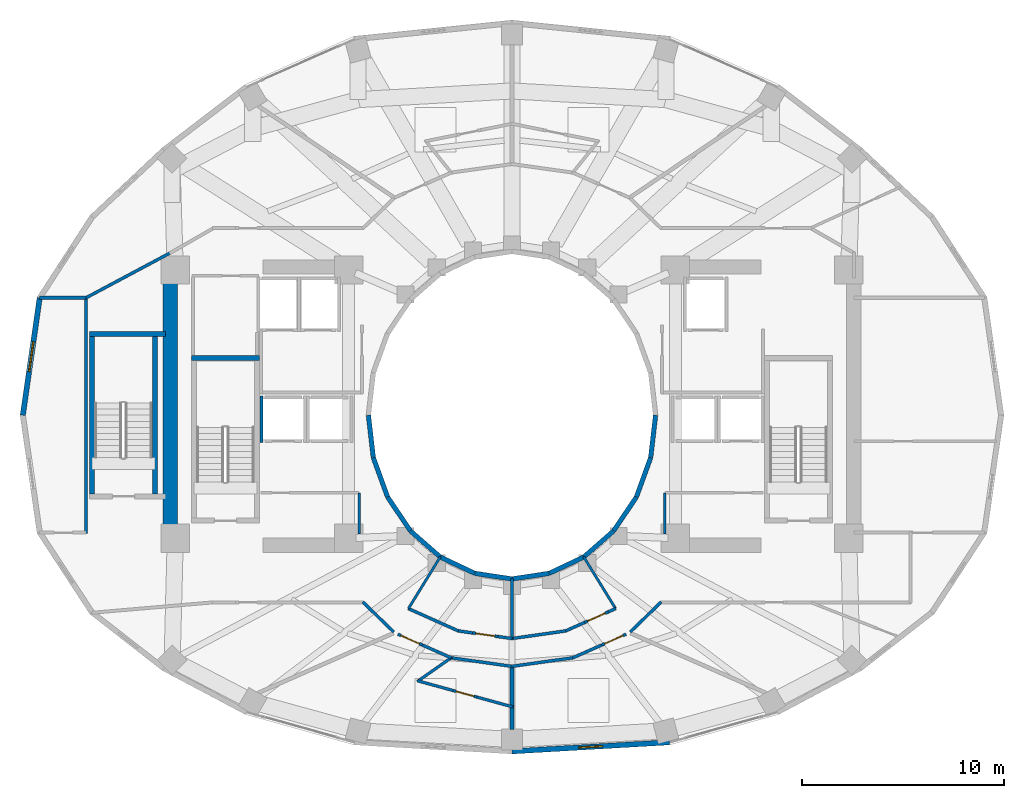
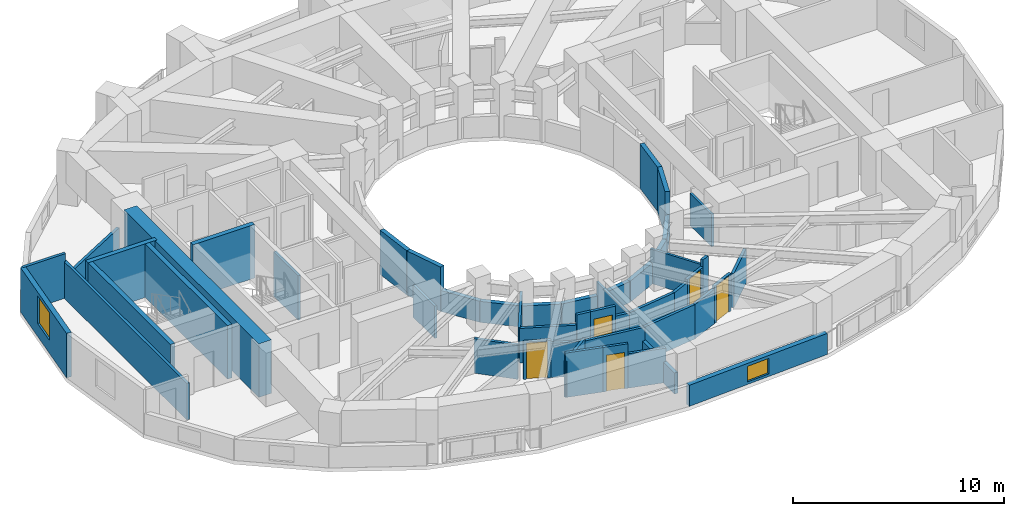
# One storey, part 9 of 16: 49 walls, 5 doors, 2 windows, 7 openings.
"""IFC4 building model written with IfcOpenShell, lengths in metres."""

from ifc_helpers import new_model, si_unit, direction, frame, frame_2d, origin, place, context, subcontext, project, spatial, rectangle, extrude, material, layer, layer_set, type_object, element, fill, save


model = new_model("IFC4")

# Units and contexts
model_context = context("Model", 3, precision=1e-05, world=origin(), true_north=direction((0.0, 1.0)))
body_context = subcontext(model_context, "Body", "Model", "MODEL_VIEW")
ifc_project = project(units=[si_unit("LENGTHUNIT", "METRE"), si_unit("AREAUNIT", "SQUARE_METRE"), si_unit("VOLUMEUNIT", "CUBIC_METRE"), si_unit("PLANEANGLEUNIT", "RADIAN"), si_unit("MASSUNIT", "GRAM", prefix="KILO")], contexts=[model_context])

# Site, building, storey
site_placement = place(None, origin())
site = spatial("IfcSite", under=ifc_project, at=site_placement, CompositionType="ELEMENT")
building_placement = place(site_placement, origin())
building = spatial("IfcBuilding", under=site, at=building_placement, Name="Solvane Sanctuary Tower", CompositionType="ELEMENT")
storey_placement = place(building_placement, frame((0.0, 0.0, 119.699951171875)))
storey = spatial("IfcBuildingStorey", under=building, at=storey_placement, Name="L36", CompositionType="ELEMENT", Elevation=119.699951171875)

# Walls
ifc_material_1 = material(Name="Concrete C60/75", Category="concrete")
ifc_layer_1 = layer(ifc_material_1, 0.699951171875, Name="Concrete C60/75")
ifc_layer_set_1 = layer_set([ifc_layer_1], Name="Concrete C60/75")
wall_type_1 = type_object("IfcWallType", Name="Wall W-CORE-700", PredefinedType="SHEAR", material=ifc_layer_set_1)
wall_1_placement = place(storey_placement, frame((15.050048828125, 17.050048828125, 0.0), z_axis=(0.0, 0.0, 1.0), x_axis=(0.0, 1.0, 0.0)))
element("IfcWall", 1, at=wall_1_placement, inside=storey, type_object=wall_type_1, Name="L36 Core Shear Wall WC-W", PredefinedType="SHEAR", context=body_context, shape_type="SweptSolid", body=[
    extrude(rectangle(XDim=12.800048828125, YDim=0.699951171875, at=frame_2d((6.39990234375, 0.0))), origin(), (0.0, 0.0, 1.0), 3.10009765625),
])
ifc_material_2 = material(Name="Acoustic Gypsum Partition Board")
ifc_layer_2 = layer(ifc_material_2, 0.14990234375, Name="Acoustic Gypsum Partition Board")
ifc_layer_set_2 = layer_set([ifc_layer_2], Name="Acoustic Gypsum Partition Board")
wall_type_2 = type_object("IfcWallType", Name="Wall W-CORR-150", PredefinedType="PARTITIONING", material=ifc_layer_set_2)
wall_2_placement = place(storey_placement, frame((10.8798828125, 17.134765625, 0.0), z_axis=(0.0, 0.0, 1.0), x_axis=(0.0, 1.0, 0.0)))
element("IfcWall", 2, at=wall_2_placement, inside=storey, type_object=wall_type_2, Name="L36 West Shoulder Back Wall", PredefinedType="PARTITIONING", context=body_context, shape_type="SweptSolid", body=[
    extrude(rectangle(XDim=11.73046875, YDim=0.14990234375, at=frame_2d((5.865234375, 0.0))), origin(), (0.0, 0.0, 1.0), 2.1201171875),
])
wall_3_placement = place(storey_placement, frame((8.558349609375, 28.8251953125, 0.0), z_axis=(0.0, 0.0, 1.0), x_axis=(1.0, 0.0, 0.0)))
element("IfcWall", 3, at=wall_3_placement, inside=storey, type_object=wall_type_2, Name="L36 West Shoulder North Wall", PredefinedType="PARTITIONING", context=body_context, shape_type="SweptSolid", body=[
    extrude(rectangle(XDim=2.321533203125, YDim=0.14990234375, at=frame_2d((1.16064453125, 0.0))), origin(), (0.0, 0.0, 1.0), 2.574951171875),
])
wall_4_placement = place(storey_placement, frame((10.8447265625, 28.806396484375, 0.0), z_axis=(0.0, 0.0, 1.0), x_axis=(0.88227840565, 0.470727962759, 0.0)))
element("IfcWall", 4, at=wall_4_placement, inside=storey, type_object=wall_type_2, Name="L36 NW Corner Closer 1", PredefinedType="PARTITIONING", context=body_context, shape_type="SweptSolid", body=[
    extrude(rectangle(XDim=4.806396484375, YDim=0.14990234375, at=frame_2d((2.4033203125, 0.0))), origin(), (0.0, 0.0, 1.0), 1.219970703125),
])
for number, where, z_axis, x_axis, name in (
    (5, (26.132568359375, 12.251220703125, 0.0), (0.0, 0.0, 1.0), (-0.717419568599, 0.696641344302, 0.0), "L36 SW Corner Throat Wall"),
    (6, (37.867431640625, 12.251220703125, 0.0), (0.0, 0.0, 1.0), (0.717419568599, 0.696641344302, 0.0), "L36 SE Corner Throat Wall"),
):
    element("IfcWall", number, at=place(storey_placement, frame(where, z_axis=z_axis, x_axis=x_axis)), inside=storey, type_object=wall_type_2, Name=name, PredefinedType="PARTITIONING", context=body_context, shape_type="SweptSolid", body=[
        extrude(rectangle(XDim=2.138427734375, YDim=0.14990234375, at=frame_2d((1.0693359375, 0.0))), origin(), (0.0, 0.0, 1.0), 1.991943359375),
    ])
wall_5_placement = place(storey_placement, frame((26.855712890625, 13.411865234375, 0.0), z_axis=(0.0, 0.0, 1.0), x_axis=(0.912985265053, -0.407992531545, 0.0)))
element("IfcWall", 7, at=wall_5_placement, inside=storey, type_object=wall_type_2, Name="L36 Inner Light-Well Corridor Wall S1", PredefinedType="PARTITIONING", context=body_context, shape_type="SweptSolid", body=[
    extrude(rectangle(XDim=2.723388671875, YDim=0.14990234375, at=frame_2d((1.36181640625, 0.0))), origin(), (0.0, 0.0, 1.0), 1.991943359375),
])
wall_6_placement = place(storey_placement, frame((29.338623046875, 12.302001953125, 0.0), z_axis=(0.0, 0.0, 1.0), x_axis=(0.990086065041, -0.140462036909, 0.0)))
element("IfcWall", 8, at=wall_6_placement, inside=storey, type_object=wall_type_2, Name="L36 Inner Light-Well Corridor Wall S1", PredefinedType="PARTITIONING", context=body_context, shape_type="SweptSolid", body=[
    extrude(rectangle(XDim=0.712646484375, YDim=0.14990234375, at=frame_2d((0.3564453125, 0.0))), origin(), (0.0, 0.0, 1.0), 2.574951171875),
])

# Wall, opening, door
wall_7_placement = place(storey_placement, frame((30.044189453125, 12.201904296875, 0.0), z_axis=(0.0, 0.0, 1.0), x_axis=(0.990129408, -0.14015618222, 0.0)))
wall_7 = element("IfcWall", 9, at=wall_7_placement, inside=storey, type_object=wall_type_2, Name="L36 Inner Light-Well Corridor Wall S1", PredefinedType="PARTITIONING", context=body_context, shape_type="SweptSolid", body=[
    extrude(rectangle(XDim=1.269775390625, YDim=0.14990234375, at=frame_2d((0.634765625, 0.0))), origin(), (0.0, 0.0, 1.0), 2.574951171875),
])
opening_1_placement = place(wall_7_placement, frame((0.159912109375, 0.0, 0.0)))
opening_1 = element("IfcOpeningElement", 10, at=opening_1_placement, cuts=wall_7, Name="Opening D-L36-18", PredefinedType="OPENING", context=body_context, shape_type="SweptSolid", body=[
    extrude(rectangle(XDim=0.949951171875, YDim=2.10009765625, at=frame_2d((0.47509765625, 1.050048828125))), frame((0.0, 0.0849609375, 0.0), z_axis=(0.0, -1.0, 0.0), x_axis=(1.0, 0.0, 0.0)), (0.0, 0.0, 1.0), 0.169921875),
])
ifc_material_3 = material(Name="Engineered Tropical Hardwood", Category="wood")
door_type_1 = type_object("IfcDoorType", Name="Door D-ROOM-950", OperationType="NOTDEFINED", PredefinedType="DOOR", material=ifc_material_3)
door_1_placement = place(opening_1_placement, origin())
door_1 = element("IfcDoor", 11, at=door_1_placement, inside=storey, type_object=door_type_1, Name="L36 Inner Light-Well Salon Door S1", OperationType="SINGLE_SWING_RIGHT", OverallHeight=2.10009765625, OverallWidth=0.949951171875, PredefinedType="DOOR", context=body_context, shape_type="SweptSolid", body=[
    extrude(rectangle(XDim=0.949951171875, YDim=2.10009765625, at=frame_2d((0.47509765625, 1.050048828125))), frame((0.0, 0.02490234375, 0.0), z_axis=(0.0, -1.0, 0.0), x_axis=(1.0, 0.0, 0.0)), (0.0, 0.0, 1.0), 0.050048828125),
])
fill(opening_1, door_1)

# Walls
wall_8_placement = place(storey_placement, frame((31.301513671875, 12.02392578125, 0.0), z_axis=(0.0, 0.0, 1.0), x_axis=(0.990133654237, -0.140126181517, 0.0)))
element("IfcWall", 12, at=wall_8_placement, inside=storey, type_object=wall_type_2, Name="L36 Inner Light-Well Corridor Wall S1", PredefinedType="PARTITIONING", context=body_context, shape_type="SweptSolid", body=[
    extrude(rectangle(XDim=0.712646484375, YDim=0.14990234375, at=frame_2d((0.3564453125, 0.0))), origin(), (0.0, 0.0, 1.0), 1.991943359375),
])
wall_9_placement = place(storey_placement, frame((31.992919921875, 11.924072265625, 0.0), z_axis=(0.0, 0.0, 1.0), x_axis=(0.990119079966, 0.140229124958, 0.0)))
element("IfcWall", 13, at=wall_9_placement, inside=storey, type_object=wall_type_2, Name="L36 Inner Light-Well Corridor Wall S2", PredefinedType="PARTITIONING", context=body_context, shape_type="SweptSolid", body=[
    extrude(rectangle(XDim=2.695068359375, YDim=0.14990234375, at=frame_2d((1.34765625, 0.0))), origin(), (0.0, 0.0, 1.0), 1.991943359375),
])
wall_10_placement = place(storey_placement, frame((34.657958984375, 12.30078125, 0.0), z_axis=(0.0, 0.0, 1.0), x_axis=(0.912995674005, 0.407969238114, 0.0)))
element("IfcWall", 14, at=wall_10_placement, inside=storey, type_object=wall_type_2, Name="L36 Inner Light-Well Corridor Wall S2", PredefinedType="PARTITIONING", context=body_context, shape_type="SweptSolid", body=[
    extrude(rectangle(XDim=1.038818359375, YDim=0.14990234375, at=frame_2d((0.51953125, 0.0))), origin(), (0.0, 0.0, 1.0), 1.991943359375),
])

# Wall, opening, door
wall_11_placement = place(storey_placement, frame((35.6064453125, 12.724609375, 0.0), z_axis=(0.0, 0.0, 1.0), x_axis=(0.9129294776, 0.408117347009, 0.0)))
wall_11 = element("IfcWall", 15, at=wall_11_placement, inside=storey, type_object=wall_type_2, Name="L36 Inner Light-Well Corridor Wall S2", PredefinedType="PARTITIONING", context=body_context, shape_type="SweptSolid", body=[
    extrude(rectangle(XDim=1.27001953125, YDim=0.14990234375, at=frame_2d((0.635009765625, 0.0))), origin(), (0.0, 0.0, 1.0), 2.16015625),
])
opening_2_placement = place(wall_11_placement, frame((0.159912109375, 0.0, 0.0)))
opening_2 = element("IfcOpeningElement", 16, at=opening_2_placement, cuts=wall_11, Name="Opening D-L36-19", PredefinedType="OPENING", context=body_context, shape_type="SweptSolid", body=[
    extrude(rectangle(XDim=0.949951171875, YDim=2.10009765625, at=frame_2d((0.47509765625, 1.050048828125))), frame((0.0, 0.0849609375, 0.0), z_axis=(0.0, -1.0, 0.0), x_axis=(1.0, 0.0, 0.0)), (0.0, 0.0, 1.0), 0.169921875),
])
door_2_placement = place(opening_2_placement, origin())
door_2 = element("IfcDoor", 17, at=door_2_placement, inside=storey, type_object=door_type_1, Name="L36 Inner Light-Well Salon Door S2", OperationType="SINGLE_SWING_LEFT", OverallHeight=2.10009765625, OverallWidth=0.949951171875, PredefinedType="DOOR", context=body_context, shape_type="SweptSolid", body=[
    extrude(rectangle(XDim=0.949951171875, YDim=2.10009765625, at=frame_2d((0.47509765625, 1.050048828125))), frame((0.0, 0.02490234375, 0.0), z_axis=(0.0, -1.0, 0.0), x_axis=(1.0, 0.0, 0.0)), (0.0, 0.0, 1.0), 0.050048828125),
])
fill(opening_2, door_2)

# Walls
wall_12_placement = place(storey_placement, frame((36.765869140625, 13.242919921875, 0.0), z_axis=(0.0, 0.0, 1.0), x_axis=(0.91313005036, 0.407668383774, 0.0)))
element("IfcWall", 18, at=wall_12_placement, inside=storey, type_object=wall_type_2, Name="L36 Inner Light-Well Corridor Wall S2", PredefinedType="PARTITIONING", context=body_context, shape_type="SweptSolid", body=[
    extrude(rectangle(XDim=0.414306640625, YDim=0.14990234375, at=frame_2d((0.20703125, 0.0))), origin(), (0.0, 0.0, 1.0), 2.574951171875),
])
wall_13_placement = place(storey_placement, frame((28.93359375, 10.975341796875, 0.0), z_axis=(0.0, 0.0, 1.0), x_axis=(0.990254405439, -0.139270285808, 0.0)))
element("IfcWall", 19, at=wall_13_placement, inside=storey, type_object=wall_type_2, Name="L36 En-suite Inner Wall S1", PredefinedType="PARTITIONING", context=body_context, shape_type="SweptSolid", body=[
    extrude(rectangle(XDim=3.146728515625, YDim=0.14990234375, at=frame_2d((1.5732421875, 0.0))), origin(), (0.0, 0.0, 1.0), 1.991943359375),
])

# Wall, opening, door
wall_14_placement = place(storey_placement, frame((26.33984375, 12.1396484375, 0.0), z_axis=(0.0, 0.0, 1.0), x_axis=(0.914481389177, -0.404627963503, 0.0)))
wall_14 = element("IfcWall", 20, at=wall_14_placement, inside=storey, type_object=wall_type_2, Name="L36 Unit Corridor Wall S1", PredefinedType="PARTITIONING", context=body_context, shape_type="SweptSolid", body=[
    extrude(rectangle(XDim=1.320068359375, YDim=0.14990234375, at=frame_2d((0.66015625, 0.0))), origin(), (0.0, 0.0, 1.0), 2.16015625),
])
opening_3_placement = place(wall_14_placement, frame((0.159912109375, 0.0, 0.0)))
opening_3 = element("IfcOpeningElement", 21, at=opening_3_placement, cuts=wall_14, Name="Opening D-L36-25", PredefinedType="OPENING", context=body_context, shape_type="SweptSolid", body=[
    extrude(rectangle(XDim=1.0, YDim=2.10009765625, at=frame_2d((0.5, 1.050048828125))), frame((0.0, 0.0849609375, 0.0), z_axis=(0.0, -1.0, 0.0), x_axis=(1.0, 0.0, 0.0)), (0.0, 0.0, 1.0), 0.169921875),
])
door_type_2 = type_object("IfcDoorType", Name="Door D-UNIT", OperationType="NOTDEFINED", PredefinedType="DOOR", material=ifc_material_3)
door_3_placement = place(opening_3_placement, origin())
door_3 = element("IfcDoor", 22, at=door_3_placement, inside=storey, type_object=door_type_2, Name="L36 Unit Entrance Door S1", OperationType="SINGLE_SWING_LEFT", OverallHeight=2.10009765625, OverallWidth=1.0, PredefinedType="DOOR", context=body_context, shape_type="SweptSolid", body=[
    extrude(rectangle(XDim=1.0, YDim=2.10009765625, at=frame_2d((0.5, 1.050048828125))), frame((0.0, 0.02490234375, 0.0), z_axis=(0.0, -1.0, 0.0), x_axis=(1.0, 0.0, 0.0)), (0.0, 0.0, 1.0), 0.050048828125),
])
fill(opening_3, door_3)

# Walls
wall_15_placement = place(storey_placement, frame((27.547119140625, 11.60546875, 0.0), z_axis=(0.0, 0.0, 1.0), x_axis=(0.914435226441, -0.404732277738, 0.0)))
element("IfcWall", 23, at=wall_15_placement, inside=storey, type_object=wall_type_2, Name="L36 Unit Corridor Wall S1", PredefinedType="PARTITIONING", context=body_context, shape_type="SweptSolid", body=[
    extrude(rectangle(XDim=1.5791015625, YDim=0.14990234375, at=frame_2d((0.78955078125, 0.0))), origin(), (0.0, 0.0, 1.0), 1.991943359375),
])
wall_16_placement = place(storey_placement, frame((31.991943359375, 10.5439453125, 0.0), z_axis=(0.0, 0.0, 1.0), x_axis=(0.990243864279, 0.139345216129, 0.0)))
element("IfcWall", 24, at=wall_16_placement, inside=storey, type_object=wall_type_2, Name="L36 Unit Corridor Wall S2", PredefinedType="PARTITIONING", context=body_context, shape_type="SweptSolid", body=[
    extrude(rectangle(XDim=3.0625, YDim=0.14990234375, at=frame_2d((1.53125, 0.0))), origin(), (0.0, 0.0, 1.0), 1.991943359375),
])
wall_17_placement = place(storey_placement, frame((35.0087890625, 10.96630859375, 0.0), z_axis=(0.0, 0.0, 1.0), x_axis=(0.914460545164, 0.404675068837, 0.0)))
element("IfcWall", 25, at=wall_17_placement, inside=storey, type_object=wall_type_2, Name="L36 Unit Corridor Wall S2", PredefinedType="PARTITIONING", context=body_context, shape_type="SweptSolid", body=[
    extrude(rectangle(XDim=1.579345703125, YDim=0.14990234375, at=frame_2d((0.78955078125, 0.0))), origin(), (0.0, 0.0, 1.0), 1.991943359375),
])

# Wall, opening, door
wall_18_placement = place(storey_placement, frame((36.453125, 11.60546875, 0.0), z_axis=(0.0, 0.0, 1.0), x_axis=(0.914451103971, 0.404696402809, 0.0)))
wall_18 = element("IfcWall", 26, at=wall_18_placement, inside=storey, type_object=wall_type_2, Name="L36 Unit Corridor Wall S2", PredefinedType="PARTITIONING", context=body_context, shape_type="SweptSolid", body=[
    extrude(rectangle(XDim=1.320068359375, YDim=0.14990234375, at=frame_2d((0.66015625, 0.0))), origin(), (0.0, 0.0, 1.0), 2.16015625),
])
opening_4_placement = place(wall_18_placement, frame((0.159912109375, 0.0, 0.0)))
opening_4 = element("IfcOpeningElement", 27, at=opening_4_placement, cuts=wall_18, Name="Opening D-L36-26", PredefinedType="OPENING", context=body_context, shape_type="SweptSolid", body=[
    extrude(rectangle(XDim=1.0, YDim=2.10009765625, at=frame_2d((0.5, 1.050048828125))), frame((0.0, 0.0849609375, 0.0), z_axis=(0.0, -1.0, 0.0), x_axis=(1.0, 0.0, 0.0)), (0.0, 0.0, 1.0), 0.169921875),
])
door_4_placement = place(opening_4_placement, origin())
door_4 = element("IfcDoor", 28, at=door_4_placement, inside=storey, type_object=door_type_2, Name="L36 Unit Entrance Door S2", OperationType="SINGLE_SWING_RIGHT", OverallHeight=2.10009765625, OverallWidth=1.0, PredefinedType="DOOR", context=body_context, shape_type="SweptSolid", body=[
    extrude(rectangle(XDim=1.0, YDim=2.10009765625, at=frame_2d((0.5, 1.050048828125))), frame((0.0, 0.02490234375, 0.0), z_axis=(0.0, -1.0, 0.0), x_axis=(1.0, 0.0, 0.0)), (0.0, 0.0, 1.0), 0.050048828125),
])
fill(opening_4, door_4)

# Wall, opening, window
ifc_material_4 = material(Name="Precast concrete C40/50", Category="concrete")
ifc_layer_3 = layer(ifc_material_4, 0.260009765625, Name="Precast concrete C40/50")
ifc_layer_set_3 = layer_set([ifc_layer_3], Name="Precast concrete C40/50")
wall_type_3 = type_object("IfcWallType", Name="Wall W-EXT-250", PredefinedType="STANDARD", material=ifc_layer_set_3)
wall_19_placement = place(storey_placement, frame((8.578125, 28.818603515625, 0.0), z_axis=(0.0, 0.0, 1.0), x_axis=(-0.142572472068, -0.98978436551, 0.0)))
wall_19 = element("IfcWall", 29, at=wall_19_placement, inside=storey, type_object=wall_type_3, Name="L36 Ceramic-Printed Facade Wall 11", PredefinedType="STANDARD", context=body_context, shape_type="SweptSolid", body=[
    extrude(rectangle(XDim=5.878662109375, YDim=0.260009765625, at=frame_2d((2.939453125, 0.0))), origin(), (0.0, 0.0, 1.0), 2.570068359375),
])
opening_5_placement = place(wall_19_placement, frame((2.189453125, 0.0, 0.75)))
opening_5 = element("IfcOpeningElement", 30, at=opening_5_placement, cuts=wall_19, Name="Opening WN-OPER-1500", PredefinedType="OPENING", context=body_context, shape_type="SweptSolid", body=[
    extrude(rectangle(XDim=1.5, YDim=1.60009765625, at=frame_2d((0.75, 0.800048828125))), frame((0.0, 0.139892578125, 0.0), z_axis=(0.0, -1.0, 0.0), x_axis=(1.0, 0.0, 0.0)), (0.0, 0.0, 1.0), 0.280029296875),
])
ifc_material_5 = material(Name="Dark Ceramic-Fritted Low-E Glass", Category="glass")
window_type_1 = type_object("IfcWindowType", Name="Window WN-OPER-1500", PartitioningType="SINGLE_PANEL", PredefinedType="WINDOW", material=ifc_material_5)
window_1_placement = place(opening_5_placement, origin())
window_1 = element("IfcWindow", 31, at=window_1_placement, inside=storey, type_object=window_type_1, Name="L36 Operable Facade Window 11", OverallHeight=1.60009765625, OverallWidth=1.5, PartitioningType="SINGLE_PANEL", PredefinedType="WINDOW", context=body_context, shape_type="SweptSolid", body=[
    extrude(rectangle(XDim=1.5, YDim=1.60009765625, at=frame_2d((0.75, 0.800048828125))), frame((0.0, 0.030029296875, 0.0), z_axis=(0.0, -1.0, 0.0), x_axis=(1.0, 0.0, 0.0)), (0.0, 0.0, 1.0), 0.06005859375),
])
fill(opening_5, window_1)

wall_20_placement = place(storey_placement, frame((32.0, 6.3291015625, 0.0), z_axis=(0.0, 0.0, 1.0), x_axis=(0.998352606703, 0.057376586592, 0.0)))
wall_20 = element("IfcWall", 32, at=wall_20_placement, inside=storey, type_object=wall_type_3, Name="L36 Ceramic-Printed Facade Wall 18", PredefinedType="STANDARD", context=body_context, shape_type="SweptSolid", body=[
    extrude(rectangle(XDim=7.829345703125, YDim=0.260009765625, at=frame_2d((3.91455078125, 0.0))), origin(), (0.0, 0.0, 1.0), 1.219970703125),
])
opening_6_placement = place(wall_20_placement, frame((3.314697265625, 0.0, 0.14990234375)))
opening_6 = element("IfcOpeningElement", 33, at=opening_6_placement, cuts=wall_20, Name="Opening WN-OPER-1200", PredefinedType="OPENING", context=body_context, shape_type="SweptSolid", body=[
    extrude(rectangle(XDim=1.199951171875, YDim=0.89990234375, at=frame_2d((0.60009765625, 0.449951171875))), frame((0.0, 0.139892578125, 0.0), z_axis=(0.0, -1.0, 0.0), x_axis=(1.0, 0.0, 0.0)), (0.0, 0.0, 1.0), 0.280029296875),
])
window_type_2 = type_object("IfcWindowType", Name="Window WN-OPER-1200", PartitioningType="SINGLE_PANEL", PredefinedType="WINDOW", material=ifc_material_5)
window_2_placement = place(opening_6_placement, origin())
window_2 = element("IfcWindow", 34, at=window_2_placement, inside=storey, type_object=window_type_2, Name="L36 Operable Facade Window 18", OverallHeight=0.89990234375, OverallWidth=1.199951171875, PartitioningType="SINGLE_PANEL", PredefinedType="WINDOW", context=body_context, shape_type="SweptSolid", body=[
    extrude(rectangle(XDim=1.199951171875, YDim=0.89990234375, at=frame_2d((0.60009765625, 0.449951171875))), frame((0.0, 0.030029296875, 0.0), z_axis=(0.0, -1.0, 0.0), x_axis=(1.0, 0.0, 0.0)), (0.0, 0.0, 1.0), 0.06005859375),
])
fill(opening_6, window_2)

# Walls
ifc_layer_4 = layer(ifc_material_4, 0.22998046875, Name="Precast concrete C40/50")
ifc_layer_set_4 = layer_set([ifc_layer_4], Name="Precast concrete C40/50")
wall_type_4 = type_object("IfcWallType", Name="Wall W-EXT-SP220", PredefinedType="STANDARD", material=ifc_layer_set_4)
wall_21_placement = place(storey_placement, frame((24.8798828125, 23.0, 0.0), z_axis=(0.0, 0.0, 1.0), x_axis=(0.114711713601, -0.993398823617, 0.0)))
element("IfcWall", 35, at=wall_21_placement, inside=storey, type_object=wall_type_4, Name="L36 Central Light-Well Wall 12", PredefinedType="STANDARD", context=body_context, shape_type="SweptSolid", body=[
    extrude(rectangle(XDim=2.115478515625, YDim=0.22998046875, at=frame_2d((1.0576171875, 0.0))), origin(), (0.0, 0.0, 1.0), 2.56005859375),
])
wall_22_placement = place(storey_placement, frame((25.12255859375, 20.8984375, 0.0), z_axis=(0.0, 0.0, 1.0), x_axis=(0.341423187295, -0.93990968033, 0.0)))
element("IfcWall", 36, at=wall_22_placement, inside=storey, type_object=wall_type_4, Name="L36 Central Light-Well Wall 13", PredefinedType="STANDARD", context=body_context, shape_type="SweptSolid", body=[
    extrude(rectangle(XDim=2.083740234375, YDim=0.22998046875, at=frame_2d((1.0419921875, 0.0))), origin(), (0.0, 0.0, 1.0), 2.56005859375),
])
wall_23_placement = place(storey_placement, frame((25.833984375, 18.93994140625, 0.0), z_axis=(0.0, 0.0, 1.0), x_axis=(0.558197800898, -0.829707909492, 0.0)))
element("IfcWall", 37, at=wall_23_placement, inside=storey, type_object=wall_type_4, Name="L36 Central Light-Well Wall 14", PredefinedType="STANDARD", context=body_context, shape_type="SweptSolid", body=[
    extrude(rectangle(XDim=2.02685546875, YDim=0.22998046875, at=frame_2d((1.013427734375, 0.0))), origin(), (0.0, 0.0, 1.0), 1.219970703125),
])
wall_24_placement = place(storey_placement, frame((26.96533203125, 17.25830078125, 0.0), z_axis=(0.0, 0.0, 1.0), x_axis=(0.752576694707, -0.658504607869, 0.0)))
element("IfcWall", 38, at=wall_24_placement, inside=storey, type_object=wall_type_4, Name="L36 Central Light-Well Wall 15", PredefinedType="STANDARD", context=body_context, shape_type="SweptSolid", body=[
    extrude(rectangle(XDim=1.95947265625, YDim=0.22998046875, at=frame_2d((0.979736328125, 0.0))), origin(), (0.0, 0.0, 1.0), 1.219970703125),
])
wall_25_placement = place(storey_placement, frame((28.43994140625, 15.968017578125, 0.0), z_axis=(0.0, 0.0, 1.0), x_axis=(0.904179699603, -0.427152280606, 0.0)))
element("IfcWall", 39, at=wall_25_placement, inside=storey, type_object=wall_type_4, Name="L36 Central Light-Well Wall 16", PredefinedType="STANDARD", context=body_context, shape_type="SweptSolid", body=[
    extrude(rectangle(XDim=1.899169921875, YDim=0.22998046875, at=frame_2d((0.94970703125, 0.0))), origin(), (0.0, 0.0, 1.0), 1.219970703125),
])
for number, where, z_axis, x_axis, name in (
    (40, (30.1572265625, 15.15673828125, 0.0), (0.0, 0.0, 1.0), (0.988901730308, -0.148571086668, 0.0), "L36 Central Light-Well Wall 17"),
    (41, (32.0, 14.8798828125, 0.0), (0.0, 0.0, 1.0), (0.988901730308, 0.148571086668, 0.0), "L36 Central Light-Well Wall 18"),
):
    element("IfcWall", number, at=place(storey_placement, frame(where, z_axis=z_axis, x_axis=x_axis)), inside=storey, type_object=wall_type_4, Name=name, PredefinedType="STANDARD", context=body_context, shape_type="SweptSolid", body=[
        extrude(rectangle(XDim=1.863525390625, YDim=0.22998046875, at=frame_2d((0.931640625, 0.0))), origin(), (0.0, 0.0, 1.0), 1.219970703125),
    ])
wall_26_placement = place(storey_placement, frame((33.8427734375, 15.15673828125, 0.0), z_axis=(0.0, 0.0, 1.0), x_axis=(0.904179699603, 0.427152280606, 0.0)))
element("IfcWall", 42, at=wall_26_placement, inside=storey, type_object=wall_type_4, Name="L36 Central Light-Well Wall 19", PredefinedType="STANDARD", context=body_context, shape_type="SweptSolid", body=[
    extrude(rectangle(XDim=1.899169921875, YDim=0.22998046875, at=frame_2d((0.94970703125, 0.0))), origin(), (0.0, 0.0, 1.0), 1.219970703125),
])
wall_27_placement = place(storey_placement, frame((35.56005859375, 15.968017578125, 0.0), z_axis=(0.0, 0.0, 1.0), x_axis=(0.752576694707, 0.658504607869, 0.0)))
element("IfcWall", 43, at=wall_27_placement, inside=storey, type_object=wall_type_4, Name="L36 Central Light-Well Wall 20", PredefinedType="STANDARD", context=body_context, shape_type="SweptSolid", body=[
    extrude(rectangle(XDim=1.95947265625, YDim=0.22998046875, at=frame_2d((0.979736328125, 0.0))), origin(), (0.0, 0.0, 1.0), 1.219970703125),
])
wall_28_placement = place(storey_placement, frame((37.03466796875, 17.25830078125, 0.0), z_axis=(0.0, 0.0, 1.0), x_axis=(0.558197800898, 0.829707909492, 0.0)))
element("IfcWall", 44, at=wall_28_placement, inside=storey, type_object=wall_type_4, Name="L36 Central Light-Well Wall 21", PredefinedType="STANDARD", context=body_context, shape_type="SweptSolid", body=[
    extrude(rectangle(XDim=2.02685546875, YDim=0.22998046875, at=frame_2d((1.013427734375, 0.0))), origin(), (0.0, 0.0, 1.0), 1.219970703125),
])
wall_29_placement = place(storey_placement, frame((38.166015625, 18.93994140625, 0.0), z_axis=(0.0, 0.0, 1.0), x_axis=(0.341423187295, 0.93990968033, 0.0)))
element("IfcWall", 45, at=wall_29_placement, inside=storey, type_object=wall_type_4, Name="L36 Central Light-Well Wall 22", PredefinedType="STANDARD", context=body_context, shape_type="SweptSolid", body=[
    extrude(rectangle(XDim=2.083740234375, YDim=0.22998046875, at=frame_2d((1.0419921875, 0.0))), origin(), (0.0, 0.0, 1.0), 2.56005859375),
])
wall_30_placement = place(storey_placement, frame((38.87744140625, 20.8984375, 0.0), z_axis=(0.0, 0.0, 1.0), x_axis=(0.114711713601, 0.993398823617, 0.0)))
element("IfcWall", 46, at=wall_30_placement, inside=storey, type_object=wall_type_4, Name="L36 Central Light-Well Wall 23", PredefinedType="STANDARD", context=body_context, shape_type="SweptSolid", body=[
    extrude(rectangle(XDim=2.115478515625, YDim=0.22998046875, at=frame_2d((1.0576171875, 0.0))), origin(), (0.0, 0.0, 1.0), 2.56005859375),
])
ifc_layer_5 = layer(ifc_material_2, 0.125, Name="Acoustic Gypsum Partition Board")
ifc_layer_set_5 = layer_set([ifc_layer_5], Name="Acoustic Gypsum Partition Board")
wall_type_5 = type_object("IfcWallType", Name="Wall W-PART-125", PredefinedType="PARTITIONING", material=ifc_layer_set_5)
for number, where, z_axis, x_axis, name in (
    (47, (24.419921875, 17.10009765625, 0.0), (0.0, 0.0, 1.0), (0.0, 1.0, 0.0), "L36 Reclaimed Room Closer Wall PLW-1"),
    (48, (39.580078125, 17.10009765625, 0.0), (0.0, 0.0, 1.0), (0.0, 1.0, 0.0), "L36 Reclaimed Room Closer Wall PLE-1"),
):
    element("IfcWall", number, at=place(storey_placement, frame(where, z_axis=z_axis, x_axis=x_axis)), inside=storey, type_object=wall_type_5, Name=name, PredefinedType="PARTITIONING", context=body_context, shape_type="SweptSolid", body=[
        extrude(rectangle(XDim=2.039794921875, YDim=0.125, at=frame_2d((1.02001953125, 0.0))), origin(), (0.0, 0.0, 1.0), 1.873046875),
    ])
wall_31_placement = place(storey_placement, frame((28.449951171875, 15.985107421875, 0.0), z_axis=(0.0, 0.0, 1.0), x_axis=(-0.524565340045, -0.851370192116, 0.0)))
element("IfcWall", 49, at=wall_31_placement, inside=storey, type_object=wall_type_5, Name="L36 Inner Light-Well Radial Wall 240", PredefinedType="PARTITIONING", context=body_context, shape_type="SweptSolid", body=[
    extrude(rectangle(XDim=3.027099609375, YDim=0.125, at=frame_2d((1.513671875, 0.0))), origin(), (0.0, 0.0, 1.0), 1.991943359375),
])
wall_32_placement = place(storey_placement, frame((32.0, 14.89990234375, 0.0), z_axis=(0.0, 0.0, 1.0), x_axis=(0.0, -1.0, 0.0)))
element("IfcWall", 50, at=wall_32_placement, inside=storey, type_object=wall_type_5, Name="L36 Inner Light-Well Radial Wall 270", PredefinedType="PARTITIONING", context=body_context, shape_type="SweptSolid", body=[
    extrude(rectangle(XDim=2.975830078125, YDim=0.125, at=frame_2d((1.48779296875, 0.0))), origin(), (0.0, 0.0, 1.0), 1.991943359375),
])
wall_33_placement = place(storey_placement, frame((35.550048828125, 15.985107421875, 0.0), z_axis=(0.0, 0.0, 1.0), x_axis=(0.524565340045, -0.851370192116, 0.0)))
element("IfcWall", 51, at=wall_33_placement, inside=storey, type_object=wall_type_5, Name="L36 Inner Light-Well Radial Wall 300", PredefinedType="PARTITIONING", context=body_context, shape_type="SweptSolid", body=[
    extrude(rectangle(XDim=3.027099609375, YDim=0.125, at=frame_2d((1.513671875, 0.0))), origin(), (0.0, 0.0, 1.0), 1.991943359375),
])
ifc_material_6 = material(Name="Concrete C50/60", Category="concrete")
ifc_layer_6 = layer(ifc_material_6, 0.14990234375, Name="Concrete C50/60")
ifc_layer_set_6 = layer_set([ifc_layer_6], Name="Concrete C50/60")
wall_type_6 = type_object("IfcWallType", Name="Wall W-SHAFT-150", PredefinedType="SOLIDWALL", material=ifc_layer_set_6)
wall_34_placement = place(storey_placement, frame((19.570068359375, 21.639892578125, 0.0), z_axis=(0.0, 0.0, 1.0), x_axis=(0.0, 1.0, 0.0)))
element("IfcWall", 52, at=wall_34_placement, inside=storey, type_object=wall_type_6, Name="L36 PM-1 Lift Shaft Wall S1", PredefinedType="SOLIDWALL", context=body_context, shape_type="SweptSolid", body=[
    extrude(rectangle(XDim=2.320068359375, YDim=0.14990234375, at=frame_2d((1.16015625, 0.0))), origin(), (0.0, 0.0, 1.0), 2.574951171875),
])
ifc_layer_7 = layer(ifc_material_6, 0.25, Name="Concrete C50/60")
ifc_layer_set_7 = layer_set([ifc_layer_7], Name="Concrete C50/60")
wall_type_7 = type_object("IfcWallType", Name="Wall W-SHAFT-250", PredefinedType="SOLIDWALL", material=ifc_layer_set_7)
wall_35_placement = place(storey_placement, frame((16.10498046875, 25.830078125, 0.0), z_axis=(0.0, 0.0, 1.0), x_axis=(1.0, 0.0, 0.0)))
element("IfcWall", 53, at=wall_35_placement, inside=storey, type_object=wall_type_7, Name="L36 ST-1 Load-Bearing Shaft Wall N", PredefinedType="SOLIDWALL", context=body_context, shape_type="SweptSolid", body=[
    extrude(rectangle(XDim=3.3701171875, YDim=0.25, at=frame_2d((1.68505859375, 0.0))), origin(), (0.0, 0.0, 1.0), 3.10009765625),
])
wall_36_placement = place(storey_placement, frame((11.044921875, 27.030029296875, 0.0), z_axis=(0.0, 0.0, 1.0), x_axis=(1.0, 0.0, 0.0)))
element("IfcWall", 54, at=wall_36_placement, inside=storey, type_object=wall_type_7, Name="L36 ST-3 Load-Bearing Shaft Wall N", PredefinedType="SOLIDWALL", context=body_context, shape_type="SweptSolid", body=[
    extrude(rectangle(XDim=3.781982421875, YDim=0.25, at=frame_2d((1.89111328125, 0.0))), origin(), (0.0, 0.0, 1.0), 3.10009765625),
])
for number, where, z_axis, x_axis, name in (
    (55, (11.169921875, 19.094970703125, 0.0), (0.0, 0.0, 1.0), (0.0, 1.0, 0.0), "L36 ST-3 Load-Bearing Shaft Wall W"),
    (56, (14.2900390625, 19.094970703125, 0.0), (0.0, 0.0, 1.0), (0.0, 1.0, 0.0), "L36 ST-3 Load-Bearing Shaft Wall E"),
):
    element("IfcWall", number, at=place(storey_placement, frame(where, z_axis=z_axis, x_axis=x_axis)), inside=storey, type_object=wall_type_7, Name=name, PredefinedType="SOLIDWALL", context=body_context, shape_type="SweptSolid", body=[
        extrude(rectangle(XDim=7.81005859375, YDim=0.25, at=frame_2d((3.905029296875, 0.0))), origin(), (0.0, 0.0, 1.0), 3.10009765625),
    ])
ifc_layer_8 = layer(ifc_material_2, 0.179931640625, Name="Acoustic Gypsum Partition Board")
ifc_layer_set_8 = layer_set([ifc_layer_8], Name="Acoustic Gypsum Partition Board")
wall_type_8 = type_object("IfcWallType", Name="Wall W-UNIT-180", PredefinedType="PARTITIONING", material=ifc_layer_set_8)
wall_37_placement = place(storey_placement, frame((32.0, 10.489013671875, 0.0), z_axis=(0.0, 0.0, 1.0), x_axis=(0.0, -1.0, 0.0)))
element("IfcWall", 57, at=wall_37_placement, inside=storey, type_object=wall_type_8, Name="L36 Radial Compartment Wall 270", PredefinedType="PARTITIONING", context=body_context, shape_type="SweptSolid", body=[
    extrude(rectangle(XDim=3.06396484375, YDim=0.179931640625, at=frame_2d((1.531982421875, 0.0))), origin(), (0.0, 0.0, 1.0), 1.219970703125),
])
ifc_layer_9 = layer(ifc_material_2, 0.139892578125, Name="Acoustic Gypsum Partition Board")
ifc_layer_set_9 = layer_set([ifc_layer_9], Name="Acoustic Gypsum Partition Board")
wall_type_9 = type_object("IfcWallType", Name="Wall W-WET-140", PredefinedType="PLUMBINGWALL", material=ifc_layer_set_9)
wall_38_placement = place(storey_placement, frame((29.024169921875, 10.9970703125, 0.0), z_axis=(0.0, 0.0, 1.0), x_axis=(-0.819614061163, -0.572916041619, 0.0)))
element("IfcWall", 58, at=wall_38_placement, inside=storey, type_object=wall_type_9, Name="L36 En-suite Side Partition S1", PredefinedType="PLUMBINGWALL", context=body_context, shape_type="SweptSolid", body=[
    extrude(rectangle(XDim=2.10009765625, YDim=0.139892578125, at=frame_2d((1.050048828125, 0.0))), origin(), (0.0, 0.0, 1.0), 2.10498046875),
])
wall_39_placement = place(storey_placement, frame((27.295654296875, 9.835693359375, 0.0), z_axis=(0.0, 0.0, 1.0), x_axis=(0.964309670354, -0.264776999875, 0.0)))
element("IfcWall", 59, at=wall_39_placement, inside=storey, type_object=wall_type_9, Name="L36 En-suite Bedroom Wall S1", PredefinedType="PLUMBINGWALL", context=body_context, shape_type="SweptSolid", body=[
    extrude(rectangle(XDim=1.854248046875, YDim=0.139892578125, at=frame_2d((0.92724609375, 0.0))), origin(), (0.0, 0.0, 1.0), 2.574951171875),
])

# Wall, opening, door
wall_40_placement = place(storey_placement, frame((29.083740234375, 9.3447265625, 0.0), z_axis=(0.0, 0.0, 1.0), x_axis=(0.964319136296, -0.264742522789, 0.0)))
wall_40 = element("IfcWall", 60, at=wall_40_placement, inside=storey, type_object=wall_type_9, Name="L36 En-suite Bedroom Wall S1", PredefinedType="PLUMBINGWALL", context=body_context, shape_type="SweptSolid", body=[
    extrude(rectangle(XDim=1.219970703125, YDim=0.139892578125, at=frame_2d((0.60986328125, 0.0))), origin(), (0.0, 0.0, 1.0), 2.574951171875),
])
opening_7_placement = place(wall_40_placement, frame((0.159912109375, 0.0, 0.0)))
opening_7 = element("IfcOpeningElement", 61, at=opening_7_placement, cuts=wall_40, Name="Opening D-L36-24", PredefinedType="OPENING", context=body_context, shape_type="SweptSolid", body=[
    extrude(rectangle(XDim=0.89990234375, YDim=2.10009765625, at=frame_2d((0.449951171875, 1.050048828125))), frame((0.0, 0.079833984375, 0.0), z_axis=(0.0, -1.0, 0.0), x_axis=(1.0, 0.0, 0.0)), (0.0, 0.0, 1.0), 0.159912109375),
])
door_type_3 = type_object("IfcDoorType", Name="Door D-WET-900", OperationType="NOTDEFINED", PredefinedType="DOOR", material=ifc_material_3)
door_5_placement = place(opening_7_placement, origin())
door_5 = element("IfcDoor", 62, at=door_5_placement, inside=storey, type_object=door_type_3, Name="L36 En-suite Bathroom Door S1", OperationType="SINGLE_SWING_RIGHT", OverallHeight=2.10009765625, OverallWidth=0.89990234375, PredefinedType="DOOR", context=body_context, shape_type="SweptSolid", body=[
    extrude(rectangle(XDim=0.89990234375, YDim=2.10009765625, at=frame_2d((0.449951171875, 1.050048828125))), frame((0.0, 0.02490234375, 0.0), z_axis=(0.0, -1.0, 0.0), x_axis=(1.0, 0.0, 0.0)), (0.0, 0.0, 1.0), 0.050048828125),
])
fill(opening_7, door_5)

# Wall
wall_41_placement = place(storey_placement, frame((30.26025390625, 9.021728515625, 0.0), z_axis=(0.0, 0.0, 1.0), x_axis=(0.964300438022, -0.264810621448, 0.0)))
element("IfcWall", 63, at=wall_41_placement, inside=storey, type_object=wall_type_9, Name="L36 En-suite Bedroom Wall S1", PredefinedType="PLUMBINGWALL", context=body_context, shape_type="SweptSolid", body=[
    extrude(rectangle(XDim=1.85400390625, YDim=0.139892578125, at=frame_2d((0.927001953125, 0.0))), origin(), (0.0, 0.0, 1.0), 1.991943359375),
])

save(model, "model.ifc")
